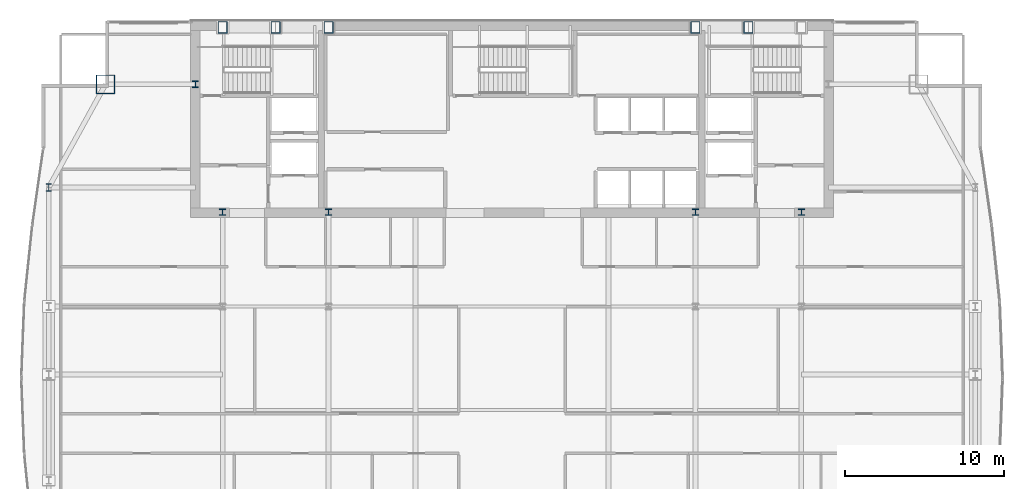
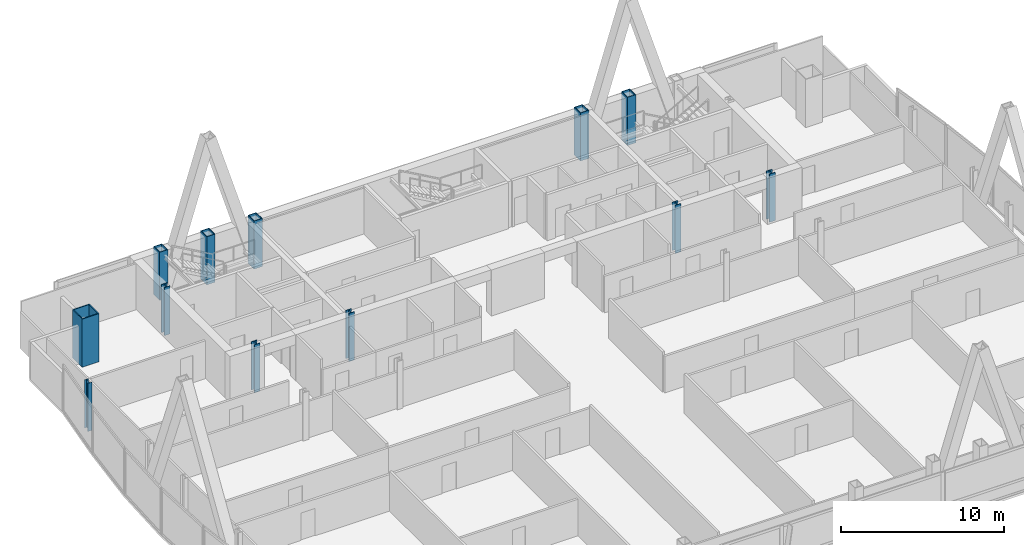
# One storey, part 3 of 32: 12 columns.
"""IFC4 building model written with IfcOpenShell, lengths in metres."""

from ifc_helpers import new_model, si_unit, direction, frame, origin, origin_2d, place, context, subcontext, project, spatial, hollow_rectangle, i_section, extrude, material, material_profile, profile_set, type_object, element, save


model = new_model("IFC4")

# Units and contexts
model_context = context("Model", 3, precision=1e-05, world=origin(), true_north=direction((0.0, 1.0)))
body_context = subcontext(model_context, "Body", "Model", "MODEL_VIEW")
ifc_project = project(units=[si_unit("LENGTHUNIT", "METRE"), si_unit("AREAUNIT", "SQUARE_METRE"), si_unit("VOLUMEUNIT", "CUBIC_METRE"), si_unit("PLANEANGLEUNIT", "RADIAN"), si_unit("MASSUNIT", "GRAM", prefix="KILO")], contexts=[model_context])

# Site, building, storey
site_placement = place(None, origin())
site = spatial("IfcSite", under=ifc_project, at=site_placement, CompositionType="ELEMENT")
building_placement = place(site_placement, origin())
building = spatial("IfcBuilding", under=site, at=building_placement, Name="Khoronbel Lancet Exchange", CompositionType="ELEMENT")
storey_placement = place(building_placement, frame((0.0, 0.0, 199.39990234375)))
storey = spatial("IfcBuildingStorey", under=building, at=storey_placement, Name="L50", CompositionType="ELEMENT", Elevation=199.39990234375)

# Columns
ifc_material_1 = material(Name="Steel S460", Category="steel")
ifc_material_profile_1 = material_profile(ifc_material_1, hollow_rectangle(XDim=0.60009765625, YDim=0.75, WallThickness=0.044921875, at=origin_2d()), Name="BOX 750x600x45")
ifc_profile_set_1 = profile_set([ifc_material_profile_1], Name="Steel S460")
column_type_1 = type_object("IfcColumnType", Name="COL-EC3", PredefinedType="COLUMN", material=ifc_profile_set_1)
for number, where, z_axis, x_axis, name in (
    (1, (18.22509765625, 53.280029296875, 0.0), (0.0, 0.0, 1.0), (1.0, 0.0, 0.0), "Structural column NC-W1 L50"),
    (2, (21.5625, 53.280029296875, 0.0), (0.0, 0.0, 1.0), (1.0, 0.0, 0.0), "Structural column NC-WM L50"),
    (3, (24.89990234375, 53.280029296875, 0.0), (0.0, 0.0, 1.0), (1.0, 0.0, 0.0), "Structural column NC-W2 L50"),
    (4, (48.0, 53.280029296875, 0.0), (0.0, 0.0, 1.0), (1.0, 0.0, 0.0), "Structural column NC-E1 L50"),
    (5, (51.33740234375, 53.280029296875, 0.0), (0.0, 0.0, 1.0), (1.0, 0.0, 0.0), "Structural column NC-EM L50"),
):
    element("IfcColumn", number, at=place(storey_placement, frame(where, z_axis=z_axis, x_axis=x_axis)), inside=storey, type_object=column_type_1, Name=name, PredefinedType="COLUMN", context=body_context, shape_type="SweptSolid", body=[
        extrude(hollow_rectangle(XDim=0.60009765625, YDim=0.75, WallThickness=0.044921875, at=origin_2d()), origin(), (0.0, 0.0, 1.0), 3.60009765625),
    ])
ifc_material_2 = material(Name="Steel S355", Category="steel")
ifc_material_profile_2 = material_profile(ifc_material_2, i_section(OverallWidth=0.406005859375, OverallDepth=0.416015625, WebThickness=0.02978515625, FlangeThickness=0.048095703125, at=origin_2d()), Name="HD 400x382")
ifc_profile_set_2 = profile_set([ifc_material_profile_2], Name="Steel S355")
column_type_2 = type_object("IfcColumnType", Name="COL-IC3", PredefinedType="COLUMN", material=ifc_profile_set_2)
for number, where, z_axis, x_axis, name in (
    (6, (16.5, 49.699951171875, 0.0), (0.0, 0.0, 1.0), (1.0, 0.0, 0.0), "Core-flank plumb transfer column CFW L50"),
    (7, (18.22509765625, 41.64990234375, 0.0), (0.0, 0.0, 1.0), (1.0, 0.0, 0.0), "Core-embedded steel column CTC1 L50"),
    (8, (24.89990234375, 41.64990234375, 0.0), (0.0, 0.0, 1.0), (1.0, 0.0, 0.0), "Core-embedded steel column CTC2 L50"),
    (9, (48.0, 41.64990234375, 0.0), (0.0, 0.0, 1.0), (1.0, 0.0, 0.0), "Core-embedded steel column CTC3 L50"),
    (10, (54.675048828125, 41.64990234375, 0.0), (0.0, 0.0, 1.0), (1.0, 0.0, 0.0), "Core-embedded steel column CTC4 L50"),
):
    element("IfcColumn", number, at=place(storey_placement, frame(where, z_axis=z_axis, x_axis=x_axis)), inside=storey, type_object=column_type_2, Name=name, PredefinedType="COLUMN", context=body_context, shape_type="SweptSolid", body=[
        extrude(i_section(OverallWidth=0.406005859375, OverallDepth=0.416015625, WebThickness=0.02978515625, FlangeThickness=0.048095703125, at=origin_2d()), origin(), (0.0, 0.0, 1.0), 3.60009765625),
    ])
ifc_material_profile_3 = material_profile(ifc_material_2, i_section(OverallWidth=0.300048828125, OverallDepth=0.449951171875, WebThickness=0.013916015625, FlangeThickness=0.02587890625, at=origin_2d()), Name="HEB 450")
ifc_profile_set_3 = profile_set([ifc_material_profile_3], Name="Steel S355")
column_type_3 = type_object("IfcColumnType", Name="COL-LC2", PredefinedType="COLUMN", material=ifc_profile_set_3)
column_1_placement = place(storey_placement, frame((7.27001953125, 43.199951171875, 0.0), z_axis=(0.0, 0.0, 1.0), x_axis=(1.0, 0.0, 0.0)))
element("IfcColumn", 11, at=column_1_placement, inside=storey, type_object=column_type_3, Name="Structural column WC-4 L50", PredefinedType="COLUMN", context=body_context, shape_type="SweptSolid", body=[
    extrude(i_section(OverallWidth=0.300048828125, OverallDepth=0.449951171875, WebThickness=0.013916015625, FlangeThickness=0.02587890625, at=origin_2d()), origin(), (0.0, 0.0, 1.0), 3.60009765625),
])
ifc_material_profile_4 = material_profile(ifc_material_1, hollow_rectangle(XDim=1.199951171875, YDim=1.199951171875, WallThickness=0.06005859375, at=origin_2d()), Name="BOX 1200x1200x60")
ifc_profile_set_4 = profile_set([ifc_material_profile_4], Name="Steel S460")
column_type_4 = type_object("IfcColumnType", Name="COL-MC5", PredefinedType="COLUMN", material=ifc_profile_set_4)
column_2_placement = place(storey_placement, frame((10.85009765625, 49.699951171875, 0.0), z_axis=(0.0, 0.0, 1.0), x_axis=(1.0, 0.0, 0.0)))
element("IfcColumn", 12, at=column_2_placement, inside=storey, type_object=column_type_4, Name="Structural column MC-NW L50", PredefinedType="COLUMN", context=body_context, shape_type="SweptSolid", body=[
    extrude(hollow_rectangle(XDim=1.199951171875, YDim=1.199951171875, WallThickness=0.06005859375, at=origin_2d()), origin(), (0.0, 0.0, 1.0), 3.60009765625),
])

save(model, "model.ifc")
